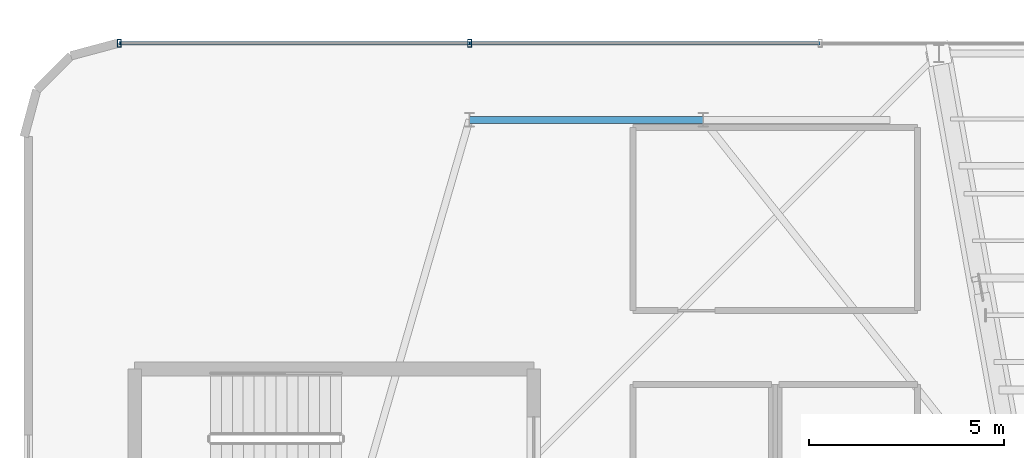
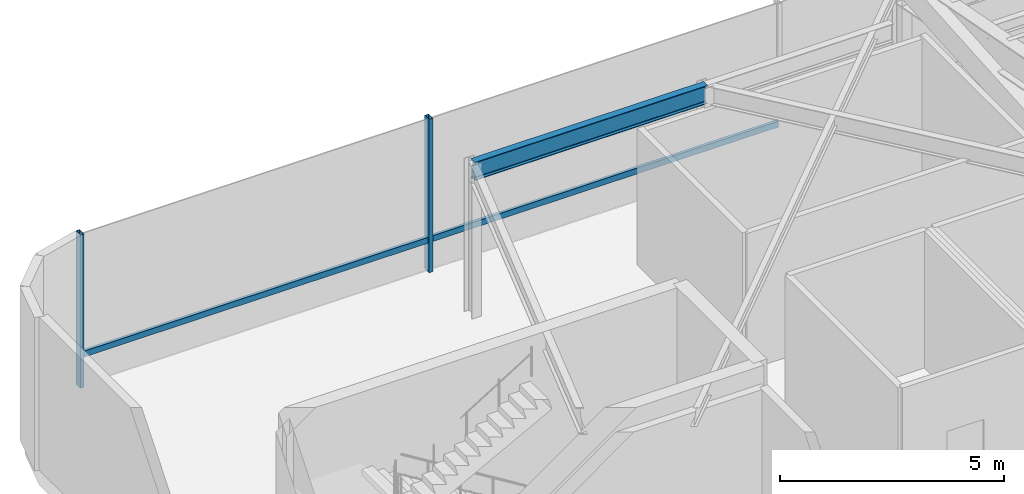
# One storey, part 13 of 32: 4 members, 1 beam, 1 element without a shape of its own.
"""IFC4 building model written with IfcOpenShell, lengths in metres."""

from ifc_helpers import new_model, si_unit, direction, frame, origin, origin_2d, place, context, subcontext, project, spatial, hollow_rectangle, i_section, extrude, source, transform, mapped, material, material_profile, profile_set, type_object, element, aggregate, save


model = new_model("IFC4")

# Units and contexts
model_context = context("Model", 3, precision=1e-05, world=origin(), true_north=direction((0.0, 1.0)))
body_context = subcontext(model_context, "Body", "Model", "MODEL_VIEW")
ifc_project = project(units=[si_unit("LENGTHUNIT", "METRE"), si_unit("AREAUNIT", "SQUARE_METRE"), si_unit("VOLUMEUNIT", "CUBIC_METRE"), si_unit("PLANEANGLEUNIT", "RADIAN"), si_unit("MASSUNIT", "GRAM", prefix="KILO")], contexts=[model_context])

# Site, building, storey
site_placement = place(None, origin())
site = spatial("IfcSite", under=ifc_project, at=site_placement, CompositionType="ELEMENT")
building_placement = place(site_placement, origin())
building = spatial("IfcBuilding", under=site, at=building_placement, Name="Sahyath Konkavel Grand Hotel", CompositionType="ELEMENT")
storey_placement = place(building_placement, frame((0.0, 0.0, 14.10009765625)))
storey = spatial("IfcBuildingStorey", under=building, at=storey_placement, Name="L03", CompositionType="ELEMENT", Elevation=14.10009765625)

# Beam
ifc_material_1 = material(Name="Steel E350", Category="steel")
ifc_material_profile_1 = material_profile(ifc_material_1, i_section(OverallWidth=0.179931640625, OverallDepth=0.5, WebThickness=0.01025390625, FlangeThickness=0.01708984375, FilletRadius=0.01708984375, at=origin_2d()), Name="ISMB 500")
ifc_profile_set_1 = profile_set([ifc_material_profile_1], Name="Steel E350")
beam_type = type_object("IfcBeamType", Name="BM-ISMB500", PredefinedType="BEAM", material=ifc_profile_set_1)
shared_shape_1 = source(origin(), body_context, "Body", "SweptSolid", [
    extrude(i_section(OverallWidth=0.179931640625, OverallDepth=0.5, WebThickness=0.01025390625, FlangeThickness=0.01708984375, FilletRadius=0.01708984375, at=origin_2d()), origin(), (0.0, 0.0, 1.0), 6.0),
])
beam_placement = place(storey_placement, frame((-18.0, 20.5, 3.929931640625), z_axis=(1.0, 0.0, 0.0), x_axis=(0.0, 1.0, 0.0)))
element("IfcBeam", 1, at=beam_placement, inside=storey, type_object=beam_type, Name="str:bm:L03:POD34-01", PredefinedType="BEAM", context=body_context, shape_type="MappedRepresentation", body=[
    mapped(shared_shape_1, transform((0.0, 0.0, 0.0), scale=1.0)),
])

# Curtain wall, members
ifc_material_2 = material(Name="Anodised Bronze Aluminium & Low-E Glazing", Category="aluminium")
curtain_wall_type = type_object("IfcCurtainWallType", Name="CW-PODIUM", PredefinedType="NOTDEFINED", material=ifc_material_2)
curtain_wall_placement = place(storey_placement, origin())
curtain_wall = element("IfcCurtainWall", 2, at=curtain_wall_placement, inside=storey, type_object=curtain_wall_type, Name="L03 Unitised Curtain Wall N", PredefinedType="NOTDEFINED")
ifc_material_3 = material(Name="Anodised Bronze Aluminium", Category="aluminium")
ifc_material_profile_2 = material_profile(ifc_material_3, hollow_rectangle(XDim=0.10009765625, YDim=0.199951171875, WallThickness=0.008056640625, at=origin_2d()), Name="RHS 200x100x8")
ifc_profile_set_2 = profile_set([ifc_material_profile_2], Name="Anodised Bronze Aluminium")
member_type_1 = type_object("IfcMemberType", Name="CW-MUL-200", PredefinedType="MULLION", material=ifc_profile_set_2)
shared_shape_2 = source(origin(), body_context, "Body", "SweptSolid", [
    extrude(hollow_rectangle(XDim=0.10009765625, YDim=0.199951171875, WallThickness=0.008056640625, at=origin_2d()), origin(), (0.0, 0.0, 1.0), 4.179931640625),
])
member_1_placement = place(storey_placement, frame((-17.997314453125, 22.465087890625, 0.0), z_axis=(0.0, 0.0, 1.0), x_axis=(1.0, 0.0, 0.0)))
member_1 = element("IfcMember", 3, at=member_1_placement, type_object=member_type_1, Name="L03 Curtain Wall Mullion N-5", PredefinedType="MULLION", context=body_context, shape_type="MappedRepresentation", body=[
    mapped(shared_shape_2, transform((0.0, 0.0, 0.0), scale=1.0)),
])
member_2_placement = place(storey_placement, frame((-26.99609375, 22.465087890625, 0.0), z_axis=(0.0, 0.0, 1.0), x_axis=(1.0, 0.0, 0.0)))
member_2 = element("IfcMember", 4, at=member_2_placement, type_object=member_type_1, Name="L03 Curtain Wall Mullion N-6", PredefinedType="MULLION", context=body_context, shape_type="MappedRepresentation", body=[
    mapped(shared_shape_2, transform((0.0, 0.0, 0.0), scale=1.0)),
])
ifc_material_profile_3 = material_profile(ifc_material_3, hollow_rectangle(XDim=0.080078125, YDim=0.159912109375, WallThickness=0.006103515625, at=origin_2d()), Name="RHS 160x80x6")
ifc_profile_set_3 = profile_set([ifc_material_profile_3], Name="Anodised Bronze Aluminium")
member_type_2 = type_object("IfcMemberType", Name="CW-TRN-160", PredefinedType="USERDEFINED", material=ifc_profile_set_3)
shared_shape_3 = source(origin(), body_context, "Body", "SweptSolid", [
    extrude(hollow_rectangle(XDim=0.080078125, YDim=0.159912109375, WallThickness=0.006103515625, at=origin_2d()), origin(), (0.0, 0.0, 1.0), 8.998779296875),
])
member_3_placement = place(storey_placement, frame((-17.997314453125, 22.465087890625, 0.849853515625), z_axis=(-1.0, 0.0, 0.0), x_axis=(0.0, -1.0, 0.0)))
member_3 = element("IfcMember", 5, at=member_3_placement, type_object=member_type_2, Name="L03 Curtain Wall Transom N-5-spandrel", ObjectType="TRANSOM", PredefinedType="USERDEFINED", context=body_context, shape_type="MappedRepresentation", body=[
    mapped(shared_shape_3, transform((0.0, 0.0, 0.0), scale=1.0)),
])
shared_shape_4 = source(origin(), body_context, "Body", "SweptSolid", [
    extrude(hollow_rectangle(XDim=0.080078125, YDim=0.159912109375, WallThickness=0.006103515625, at=origin_2d()), origin(), (0.0, 0.0, 1.0), 8.99853515625),
])
member_4_placement = place(storey_placement, frame((-8.998779296875, 22.465087890625, 0.849853515625), z_axis=(-1.0, 0.0, 0.0), x_axis=(0.0, -1.0, 0.0)))
member_4 = element("IfcMember", 6, at=member_4_placement, type_object=member_type_2, Name="L03 Curtain Wall Transom N-4-spandrel", ObjectType="TRANSOM", PredefinedType="USERDEFINED", context=body_context, shape_type="MappedRepresentation", body=[
    mapped(shared_shape_4, transform((0.0, 0.0, 0.0), scale=1.0)),
])
aggregate(curtain_wall, [member_1, member_2, member_4, member_3])

save(model, "model.ifc")
